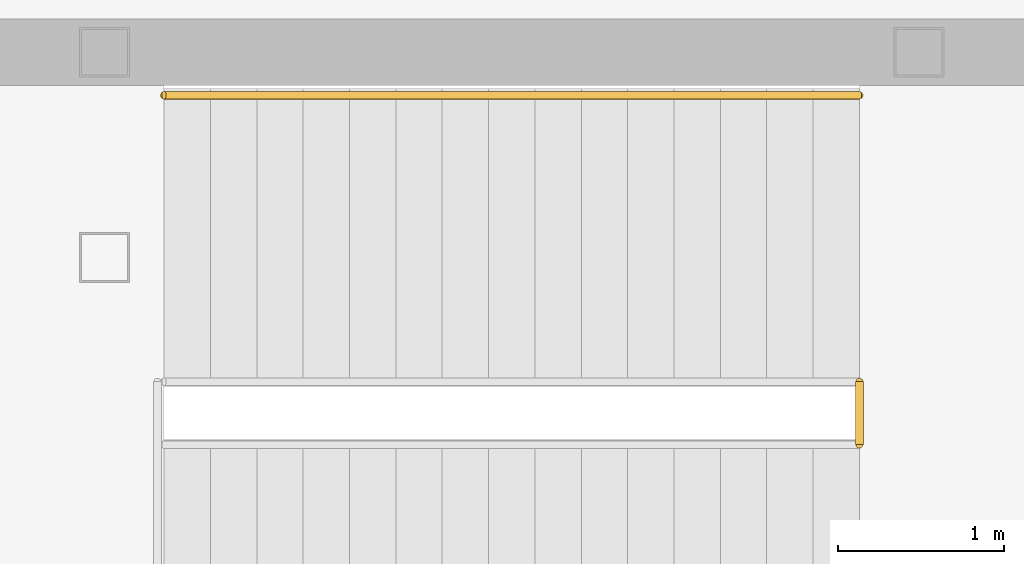
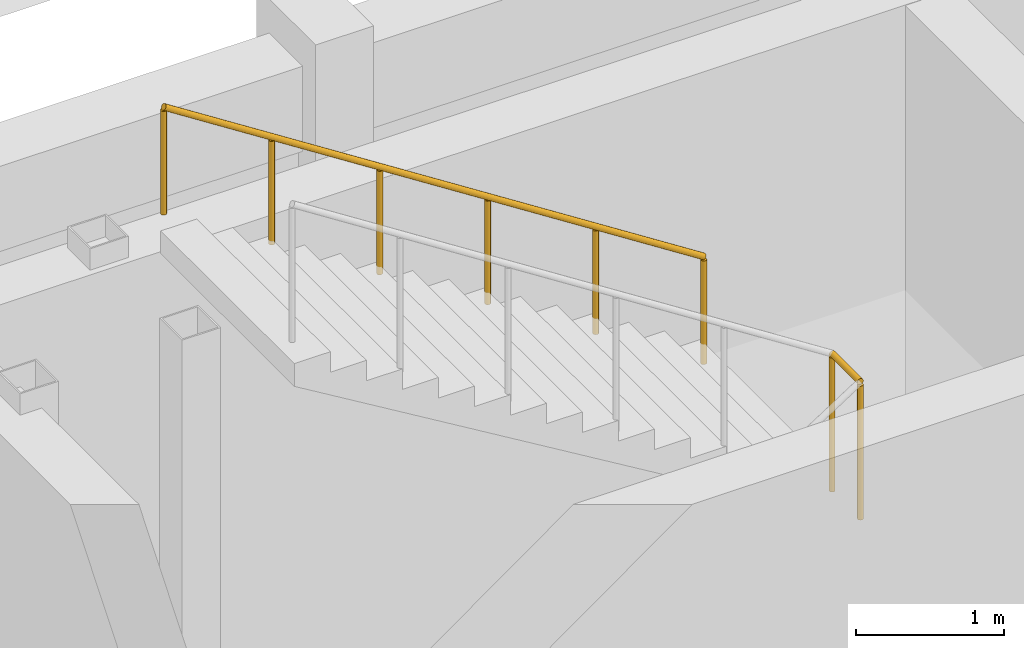
# One storey, part 72 of 79: 2 railings.
"""IFC4 building model written with IfcOpenShell, lengths in metres."""

from ifc_helpers import new_model, si_unit, direction, frame, origin, origin_2d, place, context, subcontext, project, spatial, circle, extrude, material, layer, layer_set, type_object, element, save


model = new_model("IFC4")

# Units and contexts
model_context = context("Model", 3, precision=1e-05, world=origin(), true_north=direction((0.0, 1.0)))
body_context = subcontext(model_context, "Body", "Model", "MODEL_VIEW")
ifc_project = project(units=[si_unit("LENGTHUNIT", "METRE"), si_unit("AREAUNIT", "SQUARE_METRE"), si_unit("VOLUMEUNIT", "CUBIC_METRE"), si_unit("PLANEANGLEUNIT", "RADIAN"), si_unit("MASSUNIT", "GRAM", prefix="KILO")], contexts=[model_context])

# Site, building, storey
site_placement = place(None, origin())
site = spatial("IfcSite", under=ifc_project, at=site_placement, CompositionType="ELEMENT")
building_placement = place(site_placement, origin())
building = spatial("IfcBuilding", under=site, at=building_placement, Name="Naruveol Harbour Congress Hotel", CompositionType="ELEMENT")
storey_placement = place(building_placement, frame((0.0, 0.0, 6.0)))
storey = spatial("IfcBuildingStorey", under=building, at=storey_placement, Name="L01", CompositionType="ELEMENT", Elevation=6.0)

# Railings
ifc_material_1 = material(Name="Stainless Steel 304", Category="steel")
ifc_layer_1 = layer(ifc_material_1, 0.0419921875)
ifc_layer_set_1 = layer_set([ifc_layer_1], Name="Stainless Steel 304")
railing_type_1 = type_object("IfcRailingType", Name="STAIR WALL MOUNTED HANDRAIL 900", PredefinedType="HANDRAIL", material=ifc_layer_set_1)
railing_1_placement = place(storey_placement, frame((23.10009765625, 54.39990234375, 2.699951171875)))
element("IfcRailing", 1, at=railing_1_placement, inside=storey, type_object=railing_type_1, Name="Stair ST6 L01 upper wall handrail", PredefinedType="HANDRAIL", context=body_context, shape_type="SweptSolid", body=[
    extrude(circle(Radius=0.02392578125, at=origin_2d()), frame((0.0, 0.0, 0.8759765625), z_axis=(-0.841194361566, 0.0, 0.540732878665), x_axis=(0.0, -1.0, 0.0)), (0.0, 0.0, 1.0), 4.9931640625),
    extrude(circle(Radius=0.02099609375, at=origin_2d()), origin(), (0.0, 0.0, 1.0), 0.851806640625),
    extrude(circle(Radius=0.02099609375, at=origin_2d()), frame((-0.840087890625, 0.0, 0.5400390625)), (0.0, 0.0, 1.0), 0.851806640625),
    extrude(circle(Radius=0.02099609375, at=origin_2d()), frame((-1.68017578125, 0.0, 1.080078125)), (0.0, 0.0, 1.0), 0.851806640625),
    extrude(circle(Radius=0.02099609375, at=origin_2d()), frame((-2.52001953125, 0.0, 1.619873046875)), (0.0, 0.0, 1.0), 0.851806640625),
    extrude(circle(Radius=0.02099609375, at=origin_2d()), frame((-3.360107421875, 0.0, 2.159912109375)), (0.0, 0.0, 1.0), 0.851806640625),
    extrude(circle(Radius=0.02099609375, at=origin_2d()), frame((-4.2001953125, 0.0, 2.699951171875)), (0.0, 0.0, 1.0), 0.851806640625),
])
ifc_material_2 = material(Name="Steel SN490", Category="steel")
ifc_layer_2 = layer(ifc_material_2, 0.044921875)
ifc_layer_set_2 = layer_set([ifc_layer_2], Name="Steel SN490")
railing_type_2 = type_object("IfcRailingType", Name="STAIRWELL STEEL GUARDRAIL 1150", PredefinedType="GUARDRAIL", material=ifc_layer_set_2)
railing_2_placement = place(storey_placement, frame((23.10009765625, 52.2900390625, 2.699951171875)))
element("IfcRailing", 2, at=railing_2_placement, inside=storey, type_object=railing_type_2, Name="Stair ST6 L01 half-landing slot guard", PredefinedType="GUARDRAIL", context=body_context, shape_type="SweptSolid", body=[
    extrude(circle(Radius=0.02392578125, at=origin_2d()), frame((0.0, 0.0, 1.1259765625), z_axis=(0.0, 1.0, 0.0), x_axis=(-1.0, 0.0, 0.0)), (0.0, 0.0, 1.0), 0.3798828125),
    extrude(circle(Radius=0.02099609375, at=origin_2d()), origin(), (0.0, 0.0, 1.0), 1.101806640625),
    extrude(circle(Radius=0.02099609375, at=origin_2d()), frame((0.0, 0.3798828125, 0.0)), (0.0, 0.0, 1.0), 1.101806640625),
])

save(model, "model.ifc")
